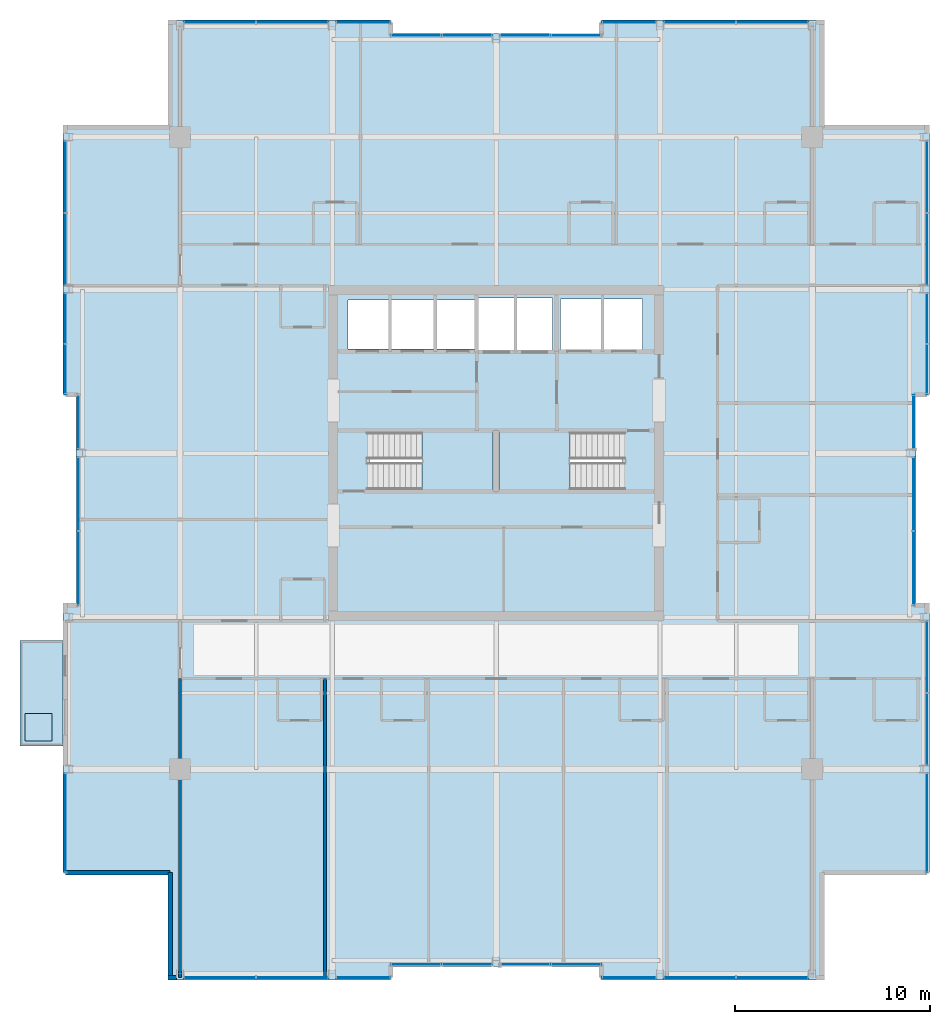
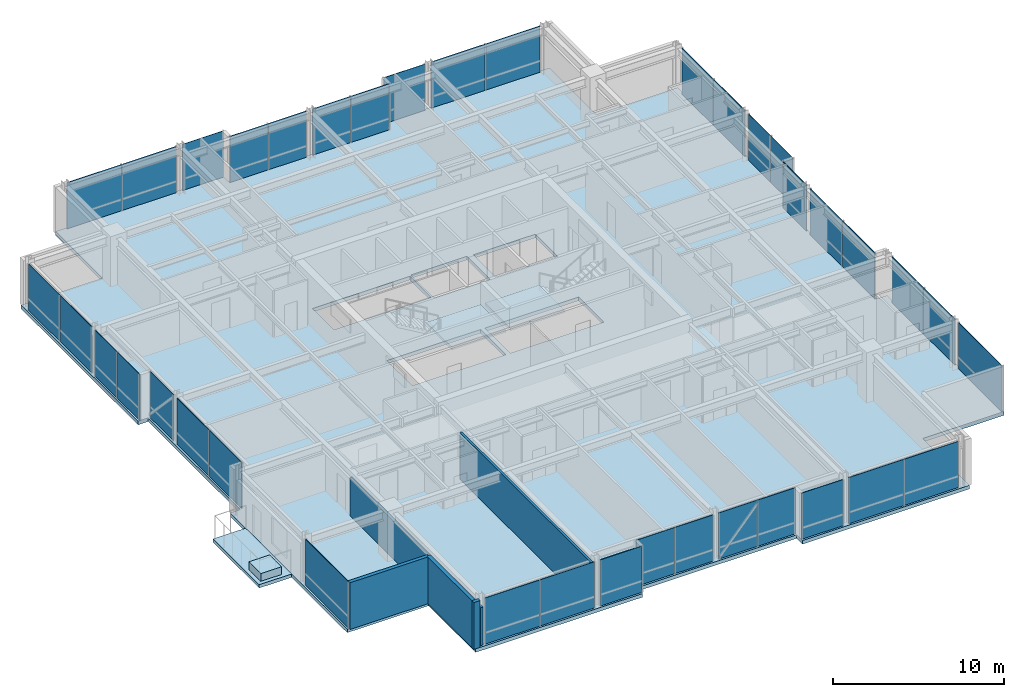
# One storey, part 25 of 32: 38 plates, 5 slabs, 5 walls, 25 elements without a shape of their own.
"""IFC4 building model written with IfcOpenShell, lengths in metres."""

from ifc_helpers import new_model, si_unit, direction, frame, frame_2d, origin, origin_2d, place, context, subcontext, project, spatial, polyline, rectangle, outline, extrude, material, layer, layer_set, type_object, element, aggregate, save


model = new_model("IFC4")

# Units and contexts
model_context = context("Model", 3, precision=1e-05, world=origin(), true_north=direction((0.0, 1.0)))
body_context = subcontext(model_context, "Body", "Model", "MODEL_VIEW")
ifc_project = project(units=[si_unit("LENGTHUNIT", "METRE"), si_unit("AREAUNIT", "SQUARE_METRE"), si_unit("VOLUMEUNIT", "CUBIC_METRE"), si_unit("PLANEANGLEUNIT", "RADIAN"), si_unit("MASSUNIT", "GRAM", prefix="KILO")], contexts=[model_context])

# Site, building, storey
site_placement = place(None, origin())
site = spatial("IfcSite", under=ifc_project, at=site_placement, CompositionType="ELEMENT")
building_placement = place(site_placement, origin())
building = spatial("IfcBuilding", under=site, at=building_placement, Name="Drelvath Grand Hotel", CompositionType="ELEMENT")
storey_placement = place(building_placement, frame((0.0, 0.0, 226.699951171875)))
storey = spatial("IfcBuildingStorey", under=building, at=storey_placement, Name="L59", CompositionType="ELEMENT", Elevation=226.699951171875)

# Slabs
ifc_material_1 = material(Name="Concrete f'c 40 MPa", Category="concrete")
ifc_layer_1 = layer(ifc_material_1, 0.239990234375)
ifc_layer_set_1 = layer_set([ifc_layer_1], Name="Concrete f'c 40 MPa")
slab_type_1 = type_object("IfcSlabType", Name="Cantilevered Tree Balcony Slab 240", PredefinedType="FLOOR", material=ifc_layer_set_1)
slab_1_placement = place(storey_placement, frame((0.0, 0.0, -0.239990234375)))
element("IfcSlab", 1, at=slab_1_placement, inside=storey, type_object=slab_type_1, Name="L59 Cantilevered Tree Balcony Slab 1", PredefinedType="FLOOR", context=body_context, shape_type="SweptSolid", body=[
    extrude(outline(polyline([(-24.39990234375, 12.0), (-22.199951171875, 12.0), (-22.199951171875, 17.39990234375), (-24.39990234375, 17.39990234375), (-24.39990234375, 12.0)])), origin(), (0.0, 0.0, 1.0), 0.239990234375),
])
ifc_layer_2 = layer(ifc_material_1, 0.260009765625)
ifc_layer_set_2 = layer_set([ifc_layer_2], Name="Concrete f'c 40 MPa")
slab_type_2 = type_object("IfcSlabType", Name="Composite RC Floor Slab 260", PredefinedType="FLOOR", material=ifc_layer_set_2)
slab_2_placement = place(storey_placement, frame((0.0, 0.0, -0.260009765625)))
element("IfcSlab", 2, at=slab_2_placement, inside=storey, type_object=slab_type_2, Name="L59 Structural Floor Slab", PredefinedType="FLOOR", context=body_context, shape_type="SweptSolid", body=[
    extrude(outline(polyline([(-16.699951171875, 0.0), (-5.39990234375, 0.0), (-5.39990234375, 0.679931640625), (5.39990234375, 0.679931640625), (5.39990234375, 0.0), (16.699951171875, 0.0), (16.699951171875, 5.5), (22.199951171875, 5.5), (22.199951171875, 19.199951171875), (21.52001953125, 19.199951171875), (21.52001953125, 30.0), (22.199951171875, 30.0), (22.199951171875, 43.699951171875), (16.699951171875, 43.699951171875), (16.699951171875, 49.199951171875), (5.39990234375, 49.199951171875), (5.39990234375, 48.52001953125), (-5.39990234375, 48.52001953125), (-5.39990234375, 49.199951171875), (-16.699951171875, 49.199951171875), (-16.699951171875, 43.699951171875), (-22.199951171875, 43.699951171875), (-22.199951171875, 30.0), (-21.52001953125, 30.0), (-21.52001953125, 19.199951171875), (-22.199951171875, 19.199951171875), (-22.199951171875, 5.5), (-16.699951171875, 5.5), (-16.699951171875, 0.0)]), holes=[polyline([(-6.47998046875, 25.1201171875), (-6.47998046875, 28.080078125), (-0.14990234375, 28.080078125), (-0.14990234375, 25.1201171875), (-6.47998046875, 25.1201171875)]), polyline([(0.14990234375, 25.1201171875), (0.14990234375, 28.080078125), (6.47998046875, 28.080078125), (6.47998046875, 25.1201171875), (0.14990234375, 25.1201171875)]), polyline([(-7.60009765625, 32.35009765625), (-7.60009765625, 34.85009765625), (-1.02001953125, 34.85009765625), (-1.02001953125, 32.35009765625), (-7.60009765625, 32.35009765625)]), polyline([(-0.89990234375, 32.25), (-0.89990234375, 34.949951171875), (2.89990234375, 34.949951171875), (2.89990234375, 32.25), (-0.89990234375, 32.25)]), polyline([(3.300048828125, 32.300048828125), (3.300048828125, 34.89990234375), (7.5, 34.89990234375), (7.5, 32.300048828125), (3.300048828125, 32.300048828125)])]), origin(), (0.0, 0.0, 1.0), 0.260009765625),
])

# Stair, slab
ifc_material_2 = material(Name="Concrete C40/50", Category="concrete")
stair_type = type_object("IfcStairType", Name="Dogleg Exit Stair W1400-R163.6", PredefinedType="HALF_TURN_STAIR", material=ifc_material_2)
stair_1_placement = place(storey_placement, origin())
stair_1 = element("IfcStair", 3, at=stair_1_placement, inside=storey, type_object=stair_type, Name="L59 Core Exit Stair ST-1", PredefinedType="HALF_TURN_STAIR")
ifc_layer_3 = layer(ifc_material_2, 0.199951171875)
ifc_layer_set_3 = layer_set([ifc_layer_3], Name="Concrete C40/50")
slab_type_3 = type_object("IfcSlabType", Name="Concrete Stair Landing Slab 200", PredefinedType="LANDING", material=ifc_layer_set_3)
slab_3_placement = place(storey_placement, frame((0.0, 0.0, 1.60009765625)))
slab_3 = element("IfcSlab", 4, at=slab_3_placement, type_object=slab_type_3, Name="ST-1 landing 1", PredefinedType="LANDING", context=body_context, shape_type="SweptSolid", body=[
    extrude(outline(polyline([(-3.800048828125, 25.1201171875), (-0.14990234375, 25.1201171875), (-0.14990234375, 28.080078125), (-3.800048828125, 28.080078125), (-3.800048828125, 25.1201171875)])), origin(), (0.0, 0.0, 1.0), 0.199951171875),
])
aggregate(stair_1, [slab_3])

stair_2_placement = place(storey_placement, origin())
stair_2 = element("IfcStair", 5, at=stair_2_placement, inside=storey, type_object=stair_type, Name="L59 Core Exit Stair ST-2", PredefinedType="HALF_TURN_STAIR")
slab_4_placement = place(storey_placement, frame((0.0, 0.0, 1.60009765625)))
slab_4 = element("IfcSlab", 6, at=slab_4_placement, type_object=slab_type_3, Name="ST-2 landing 1", PredefinedType="LANDING", context=body_context, shape_type="SweptSolid", body=[
    extrude(outline(polyline([(3.800048828125, 28.080078125), (0.14990234375, 28.080078125), (0.14990234375, 25.1201171875), (3.800048828125, 25.1201171875), (3.800048828125, 28.080078125)])), origin(), (0.0, 0.0, 1.0), 0.199951171875),
])
aggregate(stair_2, [slab_4])

# Curtain wall, plate
ifc_material_3 = material(Name="Platinum-Mist Anodised Aluminium Frame", Category="aluminium")
ifc_layer_4 = layer(ifc_material_3, 0.199951171875)
ifc_layer_set_4 = layer_set([ifc_layer_4], Name="Platinum-Mist Anodised Aluminium Frame")
curtain_wall_type = type_object("IfcCurtainWallType", Name="Stick Curtain Wall CW-05 Platinum Mist High-Rise", PredefinedType="NOTDEFINED", material=ifc_layer_set_4)
curtain_wall_1_placement = place(storey_placement, origin())
curtain_wall_1 = element("IfcCurtainWall", 7, at=curtain_wall_1_placement, inside=storey, type_object=curtain_wall_type, Name="L59 CW-05 Curtain Wall CW05-L59-WS1", PredefinedType="NOTDEFINED")
ifc_material_4 = material(Name="Low-E Triple Silver High-Altitude Glass", Category="glass")
ifc_layer_5 = layer(ifc_material_4, 0.035888671875)
ifc_layer_set_5 = layer_set([ifc_layer_5], Name="Low-E Triple Silver High-Altitude Glass")
plate_type = type_object("IfcPlateType", Name="Curtain Wall Vision Panel CW-05 36mm", PredefinedType="CURTAIN_PANEL", material=ifc_layer_set_5)
plate_1_placement = place(storey_placement, frame((-22.080078125, 8.057373046875, 0.02001953125), z_axis=(0.0, 0.0, 1.0), x_axis=(0.0, 1.0, 0.0)))
plate_1 = element("IfcPlate", 8, at=plate_1_placement, type_object=plate_type, Name="CW05-L59-WS1 Glazed Panel 1", PredefinedType="CURTAIN_PANEL", context=body_context, shape_type="SweptSolid", body=[
    extrude(rectangle(XDim=5.07470703125, YDim=0.035888671875, at=origin_2d()), origin(), (0.0, 0.0, 1.0), 3.300048828125),
])
aggregate(curtain_wall_1, [plate_1])

# Curtain wall, plates
curtain_wall_2_placement = place(storey_placement, origin())
curtain_wall_2 = element("IfcCurtainWall", 9, at=curtain_wall_2_placement, inside=storey, type_object=curtain_wall_type, Name="L59 CW-05 Curtain Wall CW05-L59-WM1", PredefinedType="NOTDEFINED")
plate_2_placement = place(storey_placement, frame((-21.39990234375, 21.103759765625, 0.02001953125), z_axis=(0.0, 0.0, 1.0), x_axis=(0.0, 1.0, 0.0)))
plate_2 = element("IfcPlate", 10, at=plate_2_placement, type_object=plate_type, Name="CW05-L59-WM1 Glazed Panel 1", PredefinedType="CURTAIN_PANEL", context=body_context, shape_type="SweptSolid", body=[
    extrude(rectangle(XDim=3.767333984375, YDim=0.035888671875, at=origin_2d()), origin(), (0.0, 0.0, 1.0), 3.300048828125),
])
plate_3_placement = place(storey_placement, frame((-21.39990234375, 24.910888671875, 0.02001953125), z_axis=(0.0, 0.0, 1.0), x_axis=(0.0, 1.0, 0.0)))
plate_3 = element("IfcPlate", 11, at=plate_3_placement, type_object=plate_type, Name="CW05-L59-WM1 Glazed Panel 2", PredefinedType="CURTAIN_PANEL", context=body_context, shape_type="SweptSolid", body=[
    extrude(rectangle(XDim=3.767333984375, YDim=0.035888671875, at=origin_2d()), origin(), (0.0, 0.0, 1.0), 3.300048828125),
])
aggregate(curtain_wall_2, [plate_2, plate_3])

# Curtain wall, plate
curtain_wall_3_placement = place(storey_placement, origin())
curtain_wall_3 = element("IfcCurtainWall", 12, at=curtain_wall_3_placement, inside=storey, type_object=curtain_wall_type, Name="L59 CW-05 Curtain Wall CW05-L59-WM2", PredefinedType="NOTDEFINED")
plate_4_placement = place(storey_placement, frame((-21.39990234375, 28.592529296875, 0.02001953125), z_axis=(0.0, 0.0, 1.0), x_axis=(0.0, 1.0, 0.0)))
plate_4 = element("IfcPlate", 13, at=plate_4_placement, type_object=plate_type, Name="CW05-L59-WM2 Glazed Panel 1", PredefinedType="CURTAIN_PANEL", context=body_context, shape_type="SweptSolid", body=[
    extrude(rectangle(XDim=2.774658203125, YDim=0.035888671875, at=origin_2d()), origin(), (0.0, 0.0, 1.0), 3.300048828125),
])
aggregate(curtain_wall_3, [plate_4])

# Curtain wall, plates
curtain_wall_4_placement = place(storey_placement, origin())
curtain_wall_4 = element("IfcCurtainWall", 14, at=curtain_wall_4_placement, inside=storey, type_object=curtain_wall_type, Name="L59 CW-05 Curtain Wall CW05-L59-WN1", PredefinedType="NOTDEFINED")
plate_5_placement = place(storey_placement, frame((-22.080078125, 31.3037109375, 0.02001953125), z_axis=(0.0, 0.0, 1.0), x_axis=(0.0, 1.0, 0.0)))
plate_5 = element("IfcPlate", 15, at=plate_5_placement, type_object=plate_type, Name="CW05-L59-WN1 Glazed Panel 1", PredefinedType="CURTAIN_PANEL", context=body_context, shape_type="SweptSolid", body=[
    extrude(rectangle(XDim=2.5673828125, YDim=0.035888671875, at=origin_2d()), origin(), (0.0, 0.0, 1.0), 3.300048828125),
])
plate_6_placement = place(storey_placement, frame((-22.080078125, 33.9111328125, 0.02001953125), z_axis=(0.0, 0.0, 1.0), x_axis=(0.0, 1.0, 0.0)))
plate_6 = element("IfcPlate", 16, at=plate_6_placement, type_object=plate_type, Name="CW05-L59-WN1 Glazed Panel 2", PredefinedType="CURTAIN_PANEL", context=body_context, shape_type="SweptSolid", body=[
    extrude(rectangle(XDim=2.5673828125, YDim=0.035888671875, at=origin_2d()), origin(), (0.0, 0.0, 1.0), 3.300048828125),
])
aggregate(curtain_wall_4, [plate_5, plate_6])

curtain_wall_5_placement = place(storey_placement, origin())
curtain_wall_5 = element("IfcCurtainWall", 17, at=curtain_wall_5_placement, inside=storey, type_object=curtain_wall_type, Name="L59 CW-05 Curtain Wall CW05-L59-WN2", PredefinedType="NOTDEFINED")
plate_7_placement = place(storey_placement, frame((-22.080078125, 37.442626953125, 0.02001953125), z_axis=(0.0, 0.0, 1.0), x_axis=(0.0, 1.0, 0.0)))
plate_7 = element("IfcPlate", 18, at=plate_7_placement, type_object=plate_type, Name="CW05-L59-WN2 Glazed Panel 1", PredefinedType="CURTAIN_PANEL", context=body_context, shape_type="SweptSolid", body=[
    extrude(rectangle(XDim=3.6748046875, YDim=0.035888671875, at=origin_2d()), origin(), (0.0, 0.0, 1.0), 3.300048828125),
])
plate_8_placement = place(storey_placement, frame((-22.080078125, 41.157470703125, 0.02001953125), z_axis=(0.0, 0.0, 1.0), x_axis=(0.0, 1.0, 0.0)))
plate_8 = element("IfcPlate", 19, at=plate_8_placement, type_object=plate_type, Name="CW05-L59-WN2 Glazed Panel 2", PredefinedType="CURTAIN_PANEL", context=body_context, shape_type="SweptSolid", body=[
    extrude(rectangle(XDim=3.6748046875, YDim=0.035888671875, at=origin_2d()), origin(), (0.0, 0.0, 1.0), 3.300048828125),
])
aggregate(curtain_wall_5, [plate_7, plate_8])

curtain_wall_6_placement = place(storey_placement, origin())
curtain_wall_6 = element("IfcCurtainWall", 20, at=curtain_wall_6_placement, inside=storey, type_object=curtain_wall_type, Name="L59 CW-05 Curtain Wall CW05-L59-EN1", PredefinedType="NOTDEFINED")
plate_9_placement = place(storey_placement, frame((22.080078125, 33.9111328125, 0.02001953125), z_axis=(0.0, 0.0, 1.0), x_axis=(0.0, -1.0, 0.0)))
plate_9 = element("IfcPlate", 21, at=plate_9_placement, type_object=plate_type, Name="CW05-L59-EN1 Glazed Panel 1", PredefinedType="CURTAIN_PANEL", context=body_context, shape_type="SweptSolid", body=[
    extrude(rectangle(XDim=2.5673828125, YDim=0.035888671875, at=origin_2d()), origin(), (0.0, 0.0, 1.0), 3.300048828125),
])
plate_10_placement = place(storey_placement, frame((22.080078125, 31.3037109375, 0.02001953125), z_axis=(0.0, 0.0, 1.0), x_axis=(0.0, -1.0, 0.0)))
plate_10 = element("IfcPlate", 22, at=plate_10_placement, type_object=plate_type, Name="CW05-L59-EN1 Glazed Panel 2", PredefinedType="CURTAIN_PANEL", context=body_context, shape_type="SweptSolid", body=[
    extrude(rectangle(XDim=2.5673828125, YDim=0.035888671875, at=origin_2d()), origin(), (0.0, 0.0, 1.0), 3.300048828125),
])
aggregate(curtain_wall_6, [plate_9, plate_10])

curtain_wall_7_placement = place(storey_placement, origin())
curtain_wall_7 = element("IfcCurtainWall", 23, at=curtain_wall_7_placement, inside=storey, type_object=curtain_wall_type, Name="L59 CW-05 Curtain Wall CW05-L59-EN2", PredefinedType="NOTDEFINED")
plate_11_placement = place(storey_placement, frame((22.080078125, 41.157470703125, 0.02001953125), z_axis=(0.0, 0.0, 1.0), x_axis=(0.0, -1.0, 0.0)))
plate_11 = element("IfcPlate", 24, at=plate_11_placement, type_object=plate_type, Name="CW05-L59-EN2 Glazed Panel 1", PredefinedType="CURTAIN_PANEL", context=body_context, shape_type="SweptSolid", body=[
    extrude(rectangle(XDim=3.6748046875, YDim=0.035888671875, at=origin_2d()), origin(), (0.0, 0.0, 1.0), 3.300048828125),
])
plate_12_placement = place(storey_placement, frame((22.080078125, 37.442626953125, 0.02001953125), z_axis=(0.0, 0.0, 1.0), x_axis=(0.0, -1.0, 0.0)))
plate_12 = element("IfcPlate", 25, at=plate_12_placement, type_object=plate_type, Name="CW05-L59-EN2 Glazed Panel 2", PredefinedType="CURTAIN_PANEL", context=body_context, shape_type="SweptSolid", body=[
    extrude(rectangle(XDim=3.6748046875, YDim=0.035888671875, at=origin_2d()), origin(), (0.0, 0.0, 1.0), 3.300048828125),
])
aggregate(curtain_wall_7, [plate_11, plate_12])

curtain_wall_8_placement = place(storey_placement, origin())
curtain_wall_8 = element("IfcCurtainWall", 26, at=curtain_wall_8_placement, inside=storey, type_object=curtain_wall_type, Name="L59 CW-05 Curtain Wall CW05-L59-EM1", PredefinedType="NOTDEFINED")
plate_13_placement = place(storey_placement, frame((21.39990234375, 24.910888671875, 0.02001953125), z_axis=(0.0, 0.0, 1.0), x_axis=(0.0, -1.0, 0.0)))
plate_13 = element("IfcPlate", 27, at=plate_13_placement, type_object=plate_type, Name="CW05-L59-EM1 Glazed Panel 1", PredefinedType="CURTAIN_PANEL", context=body_context, shape_type="SweptSolid", body=[
    extrude(rectangle(XDim=3.767333984375, YDim=0.035888671875, at=origin_2d()), origin(), (0.0, 0.0, 1.0), 3.300048828125),
])
plate_14_placement = place(storey_placement, frame((21.39990234375, 21.103759765625, 0.02001953125), z_axis=(0.0, 0.0, 1.0), x_axis=(0.0, -1.0, 0.0)))
plate_14 = element("IfcPlate", 28, at=plate_14_placement, type_object=plate_type, Name="CW05-L59-EM1 Glazed Panel 2", PredefinedType="CURTAIN_PANEL", context=body_context, shape_type="SweptSolid", body=[
    extrude(rectangle(XDim=3.767333984375, YDim=0.035888671875, at=origin_2d()), origin(), (0.0, 0.0, 1.0), 3.300048828125),
])
aggregate(curtain_wall_8, [plate_13, plate_14])

# Curtain wall, plate
curtain_wall_9_placement = place(storey_placement, origin())
curtain_wall_9 = element("IfcCurtainWall", 29, at=curtain_wall_9_placement, inside=storey, type_object=curtain_wall_type, Name="L59 CW-05 Curtain Wall CW05-L59-EM2", PredefinedType="NOTDEFINED")
plate_15_placement = place(storey_placement, frame((21.39990234375, 28.592529296875, 0.02001953125), z_axis=(0.0, 0.0, 1.0), x_axis=(0.0, -1.0, 0.0)))
plate_15 = element("IfcPlate", 30, at=plate_15_placement, type_object=plate_type, Name="CW05-L59-EM2 Glazed Panel 1", PredefinedType="CURTAIN_PANEL", context=body_context, shape_type="SweptSolid", body=[
    extrude(rectangle(XDim=2.774658203125, YDim=0.035888671875, at=origin_2d()), origin(), (0.0, 0.0, 1.0), 3.300048828125),
])
aggregate(curtain_wall_9, [plate_15])

curtain_wall_10_placement = place(storey_placement, origin())
curtain_wall_10 = element("IfcCurtainWall", 31, at=curtain_wall_10_placement, inside=storey, type_object=curtain_wall_type, Name="L59 CW-05 Curtain Wall CW05-L59-ES1", PredefinedType="NOTDEFINED")
plate_16_placement = place(storey_placement, frame((22.080078125, 8.057373046875, 0.02001953125), z_axis=(0.0, 0.0, 1.0), x_axis=(0.0, -1.0, 0.0)))
plate_16 = element("IfcPlate", 32, at=plate_16_placement, type_object=plate_type, Name="CW05-L59-ES1 Glazed Panel 1", PredefinedType="CURTAIN_PANEL", context=body_context, shape_type="SweptSolid", body=[
    extrude(rectangle(XDim=5.07470703125, YDim=0.035888671875, at=origin_2d()), origin(), (0.0, 0.0, 1.0), 3.300048828125),
])
aggregate(curtain_wall_10, [plate_16])

# Curtain wall, plates
curtain_wall_11_placement = place(storey_placement, origin())
curtain_wall_11 = element("IfcCurtainWall", 33, at=curtain_wall_11_placement, inside=storey, type_object=curtain_wall_type, Name="L59 CW-05 Curtain Wall CW05-L59-ES2", PredefinedType="NOTDEFINED")
plate_17_placement = place(storey_placement, frame((22.080078125, 16.557373046875, 0.02001953125), z_axis=(0.0, 0.0, 1.0), x_axis=(0.0, -1.0, 0.0)))
plate_17 = element("IfcPlate", 34, at=plate_17_placement, type_object=plate_type, Name="CW05-L59-ES2 Glazed Panel 1", PredefinedType="CURTAIN_PANEL", context=body_context, shape_type="SweptSolid", body=[
    extrude(rectangle(XDim=3.6748046875, YDim=0.035888671875, at=origin_2d()), origin(), (0.0, 0.0, 1.0), 3.300048828125),
])
plate_18_placement = place(storey_placement, frame((22.080078125, 12.842529296875, 0.02001953125), z_axis=(0.0, 0.0, 1.0), x_axis=(0.0, -1.0, 0.0)))
plate_18 = element("IfcPlate", 35, at=plate_18_placement, type_object=plate_type, Name="CW05-L59-ES2 Glazed Panel 2", PredefinedType="CURTAIN_PANEL", context=body_context, shape_type="SweptSolid", body=[
    extrude(rectangle(XDim=3.6748046875, YDim=0.035888671875, at=origin_2d()), origin(), (0.0, 0.0, 1.0), 3.300048828125),
])
aggregate(curtain_wall_11, [plate_17, plate_18])

curtain_wall_12_placement = place(storey_placement, origin())
curtain_wall_12 = element("IfcCurtainWall", 36, at=curtain_wall_12_placement, inside=storey, type_object=curtain_wall_type, Name="L59 CW-05 Curtain Wall CW05-L59-NW2", PredefinedType="NOTDEFINED")
plate_19_placement = place(storey_placement, frame((-14.157470703125, 49.080078125, 0.02001953125), z_axis=(0.0, 0.0, 1.0), x_axis=(1.0, 0.0, 0.0)))
plate_19 = element("IfcPlate", 37, at=plate_19_placement, type_object=plate_type, Name="CW05-L59-NW2 Glazed Panel 1", PredefinedType="CURTAIN_PANEL", context=body_context, shape_type="SweptSolid", body=[
    extrude(rectangle(XDim=3.6748046875, YDim=0.035888671875, at=origin_2d()), origin(), (0.0, 0.0, 1.0), 3.300048828125),
])
plate_20_placement = place(storey_placement, frame((-10.442626953125, 49.080078125, 0.02001953125), z_axis=(0.0, 0.0, 1.0), x_axis=(1.0, 0.0, 0.0)))
plate_20 = element("IfcPlate", 38, at=plate_20_placement, type_object=plate_type, Name="CW05-L59-NW2 Glazed Panel 2", PredefinedType="CURTAIN_PANEL", context=body_context, shape_type="SweptSolid", body=[
    extrude(rectangle(XDim=3.6748046875, YDim=0.035888671875, at=origin_2d()), origin(), (0.0, 0.0, 1.0), 3.300048828125),
])
aggregate(curtain_wall_12, [plate_19, plate_20])

# Curtain wall, plate
curtain_wall_13_placement = place(storey_placement, origin())
curtain_wall_13 = element("IfcCurtainWall", 39, at=curtain_wall_13_placement, inside=storey, type_object=curtain_wall_type, Name="L59 CW-05 Curtain Wall CW05-L59-NW3", PredefinedType="NOTDEFINED")
plate_21_placement = place(storey_placement, frame((-6.807373046875, 49.080078125, 0.02001953125), z_axis=(0.0, 0.0, 1.0), x_axis=(1.0, 0.0, 0.0)))
plate_21 = element("IfcPlate", 40, at=plate_21_placement, type_object=plate_type, Name="CW05-L59-NW3 Glazed Panel 1", PredefinedType="CURTAIN_PANEL", context=body_context, shape_type="SweptSolid", body=[
    extrude(rectangle(XDim=2.774658203125, YDim=0.035888671875, at=origin_2d()), origin(), (0.0, 0.0, 1.0), 3.300048828125),
])
aggregate(curtain_wall_13, [plate_21])

# Curtain wall, plates
curtain_wall_14_placement = place(storey_placement, origin())
curtain_wall_14 = element("IfcCurtainWall", 41, at=curtain_wall_14_placement, inside=storey, type_object=curtain_wall_type, Name="L59 CW-05 Curtain Wall CW05-L59-NM1", PredefinedType="NOTDEFINED")
plate_22_placement = place(storey_placement, frame((-4.096435546875, 48.39990234375, 0.02001953125), z_axis=(0.0, 0.0, 1.0), x_axis=(1.0, 0.0, 0.0)))
plate_22 = element("IfcPlate", 42, at=plate_22_placement, type_object=plate_type, Name="CW05-L59-NM1 Glazed Panel 1", PredefinedType="CURTAIN_PANEL", context=body_context, shape_type="SweptSolid", body=[
    extrude(rectangle(XDim=2.5673828125, YDim=0.035888671875, at=origin_2d()), origin(), (0.0, 0.0, 1.0), 3.300048828125),
])
plate_23_placement = place(storey_placement, frame((-1.489013671875, 48.39990234375, 0.02001953125), z_axis=(0.0, 0.0, 1.0), x_axis=(1.0, 0.0, 0.0)))
plate_23 = element("IfcPlate", 43, at=plate_23_placement, type_object=plate_type, Name="CW05-L59-NM1 Glazed Panel 2", PredefinedType="CURTAIN_PANEL", context=body_context, shape_type="SweptSolid", body=[
    extrude(rectangle(XDim=2.5673828125, YDim=0.035888671875, at=origin_2d()), origin(), (0.0, 0.0, 1.0), 3.300048828125),
])
aggregate(curtain_wall_14, [plate_22, plate_23])

curtain_wall_15_placement = place(storey_placement, origin())
curtain_wall_15 = element("IfcCurtainWall", 44, at=curtain_wall_15_placement, inside=storey, type_object=curtain_wall_type, Name="L59 CW-05 Curtain Wall CW05-L59-NM2", PredefinedType="NOTDEFINED")
plate_24_placement = place(storey_placement, frame((1.489013671875, 48.39990234375, 0.02001953125), z_axis=(0.0, 0.0, 1.0), x_axis=(1.0, 0.0, 0.0)))
plate_24 = element("IfcPlate", 45, at=plate_24_placement, type_object=plate_type, Name="CW05-L59-NM2 Glazed Panel 1", PredefinedType="CURTAIN_PANEL", context=body_context, shape_type="SweptSolid", body=[
    extrude(rectangle(XDim=2.5673828125, YDim=0.035888671875, at=origin_2d()), origin(), (0.0, 0.0, 1.0), 3.300048828125),
])
plate_25_placement = place(storey_placement, frame((4.096435546875, 48.39990234375, 0.02001953125), z_axis=(0.0, 0.0, 1.0), x_axis=(1.0, 0.0, 0.0)))
plate_25 = element("IfcPlate", 46, at=plate_25_placement, type_object=plate_type, Name="CW05-L59-NM2 Glazed Panel 2", PredefinedType="CURTAIN_PANEL", context=body_context, shape_type="SweptSolid", body=[
    extrude(rectangle(XDim=2.5673828125, YDim=0.035888671875, at=origin_2d()), origin(), (0.0, 0.0, 1.0), 3.300048828125),
])
aggregate(curtain_wall_15, [plate_24, plate_25])

# Curtain wall, plate
curtain_wall_16_placement = place(storey_placement, origin())
curtain_wall_16 = element("IfcCurtainWall", 47, at=curtain_wall_16_placement, inside=storey, type_object=curtain_wall_type, Name="L59 CW-05 Curtain Wall CW05-L59-NE1", PredefinedType="NOTDEFINED")
plate_26_placement = place(storey_placement, frame((6.807373046875, 49.080078125, 0.02001953125), z_axis=(0.0, 0.0, 1.0), x_axis=(1.0, 0.0, 0.0)))
plate_26 = element("IfcPlate", 48, at=plate_26_placement, type_object=plate_type, Name="CW05-L59-NE1 Glazed Panel 1", PredefinedType="CURTAIN_PANEL", context=body_context, shape_type="SweptSolid", body=[
    extrude(rectangle(XDim=2.774658203125, YDim=0.035888671875, at=origin_2d()), origin(), (0.0, 0.0, 1.0), 3.300048828125),
])
aggregate(curtain_wall_16, [plate_26])

# Curtain wall, plates
curtain_wall_17_placement = place(storey_placement, origin())
curtain_wall_17 = element("IfcCurtainWall", 49, at=curtain_wall_17_placement, inside=storey, type_object=curtain_wall_type, Name="L59 CW-05 Curtain Wall CW05-L59-NE2", PredefinedType="NOTDEFINED")
plate_27_placement = place(storey_placement, frame((10.442626953125, 49.080078125, 0.02001953125), z_axis=(0.0, 0.0, 1.0), x_axis=(1.0, 0.0, 0.0)))
plate_27 = element("IfcPlate", 50, at=plate_27_placement, type_object=plate_type, Name="CW05-L59-NE2 Glazed Panel 1", PredefinedType="CURTAIN_PANEL", context=body_context, shape_type="SweptSolid", body=[
    extrude(rectangle(XDim=3.6748046875, YDim=0.035888671875, at=origin_2d()), origin(), (0.0, 0.0, 1.0), 3.300048828125),
])
plate_28_placement = place(storey_placement, frame((14.157470703125, 49.080078125, 0.02001953125), z_axis=(0.0, 0.0, 1.0), x_axis=(1.0, 0.0, 0.0)))
plate_28 = element("IfcPlate", 51, at=plate_28_placement, type_object=plate_type, Name="CW05-L59-NE2 Glazed Panel 2", PredefinedType="CURTAIN_PANEL", context=body_context, shape_type="SweptSolid", body=[
    extrude(rectangle(XDim=3.6748046875, YDim=0.035888671875, at=origin_2d()), origin(), (0.0, 0.0, 1.0), 3.300048828125),
])
aggregate(curtain_wall_17, [plate_27, plate_28])

# Curtain wall, plate
curtain_wall_18_placement = place(storey_placement, origin())
curtain_wall_18 = element("IfcCurtainWall", 52, at=curtain_wall_18_placement, inside=storey, type_object=curtain_wall_type, Name="L59 CW-05 Curtain Wall CW05-L59-SE1", PredefinedType="NOTDEFINED")
plate_29_placement = place(storey_placement, frame((6.807373046875, 0.1201171875, 0.02001953125), z_axis=(0.0, 0.0, 1.0), x_axis=(-1.0, 0.0, 0.0)))
plate_29 = element("IfcPlate", 53, at=plate_29_placement, type_object=plate_type, Name="CW05-L59-SE1 Glazed Panel 1", PredefinedType="CURTAIN_PANEL", context=body_context, shape_type="SweptSolid", body=[
    extrude(rectangle(XDim=2.774658203125, YDim=0.035888671875, at=origin_2d()), origin(), (0.0, 0.0, 1.0), 3.300048828125),
])
aggregate(curtain_wall_18, [plate_29])

# Curtain wall, plates
curtain_wall_19_placement = place(storey_placement, origin())
curtain_wall_19 = element("IfcCurtainWall", 54, at=curtain_wall_19_placement, inside=storey, type_object=curtain_wall_type, Name="L59 CW-05 Curtain Wall CW05-L59-SE2", PredefinedType="NOTDEFINED")
plate_30_placement = place(storey_placement, frame((14.157470703125, 0.1201171875, 0.02001953125), z_axis=(0.0, 0.0, 1.0), x_axis=(-1.0, 0.0, 0.0)))
plate_30 = element("IfcPlate", 55, at=plate_30_placement, type_object=plate_type, Name="CW05-L59-SE2 Glazed Panel 1", PredefinedType="CURTAIN_PANEL", context=body_context, shape_type="SweptSolid", body=[
    extrude(rectangle(XDim=3.6748046875, YDim=0.035888671875, at=origin_2d()), origin(), (0.0, 0.0, 1.0), 3.300048828125),
])
plate_31_placement = place(storey_placement, frame((10.442626953125, 0.1201171875, 0.02001953125), z_axis=(0.0, 0.0, 1.0), x_axis=(-1.0, 0.0, 0.0)))
plate_31 = element("IfcPlate", 56, at=plate_31_placement, type_object=plate_type, Name="CW05-L59-SE2 Glazed Panel 2", PredefinedType="CURTAIN_PANEL", context=body_context, shape_type="SweptSolid", body=[
    extrude(rectangle(XDim=3.6748046875, YDim=0.035888671875, at=origin_2d()), origin(), (0.0, 0.0, 1.0), 3.300048828125),
])
aggregate(curtain_wall_19, [plate_30, plate_31])

curtain_wall_20_placement = place(storey_placement, origin())
curtain_wall_20 = element("IfcCurtainWall", 57, at=curtain_wall_20_placement, inside=storey, type_object=curtain_wall_type, Name="L59 CW-05 Curtain Wall CW05-L59-SM1", PredefinedType="NOTDEFINED")
plate_32_placement = place(storey_placement, frame((-1.489013671875, 0.800048828125, 0.02001953125), z_axis=(0.0, 0.0, 1.0), x_axis=(-1.0, 0.0, 0.0)))
plate_32 = element("IfcPlate", 58, at=plate_32_placement, type_object=plate_type, Name="CW05-L59-SM1 Glazed Panel 1", PredefinedType="CURTAIN_PANEL", context=body_context, shape_type="SweptSolid", body=[
    extrude(rectangle(XDim=2.5673828125, YDim=0.035888671875, at=origin_2d()), origin(), (0.0, 0.0, 1.0), 3.300048828125),
])
plate_33_placement = place(storey_placement, frame((-4.096435546875, 0.800048828125, 0.02001953125), z_axis=(0.0, 0.0, 1.0), x_axis=(-1.0, 0.0, 0.0)))
plate_33 = element("IfcPlate", 59, at=plate_33_placement, type_object=plate_type, Name="CW05-L59-SM1 Glazed Panel 2", PredefinedType="CURTAIN_PANEL", context=body_context, shape_type="SweptSolid", body=[
    extrude(rectangle(XDim=2.5673828125, YDim=0.035888671875, at=origin_2d()), origin(), (0.0, 0.0, 1.0), 3.300048828125),
])
aggregate(curtain_wall_20, [plate_32, plate_33])

curtain_wall_21_placement = place(storey_placement, origin())
curtain_wall_21 = element("IfcCurtainWall", 60, at=curtain_wall_21_placement, inside=storey, type_object=curtain_wall_type, Name="L59 CW-05 Curtain Wall CW05-L59-SM2", PredefinedType="NOTDEFINED")
plate_34_placement = place(storey_placement, frame((4.096435546875, 0.800048828125, 0.02001953125), z_axis=(0.0, 0.0, 1.0), x_axis=(-1.0, 0.0, 0.0)))
plate_34 = element("IfcPlate", 61, at=plate_34_placement, type_object=plate_type, Name="CW05-L59-SM2 Glazed Panel 1", PredefinedType="CURTAIN_PANEL", context=body_context, shape_type="SweptSolid", body=[
    extrude(rectangle(XDim=2.5673828125, YDim=0.035888671875, at=origin_2d()), origin(), (0.0, 0.0, 1.0), 3.300048828125),
])
plate_35_placement = place(storey_placement, frame((1.489013671875, 0.800048828125, 0.02001953125), z_axis=(0.0, 0.0, 1.0), x_axis=(-1.0, 0.0, 0.0)))
plate_35 = element("IfcPlate", 62, at=plate_35_placement, type_object=plate_type, Name="CW05-L59-SM2 Glazed Panel 2", PredefinedType="CURTAIN_PANEL", context=body_context, shape_type="SweptSolid", body=[
    extrude(rectangle(XDim=2.5673828125, YDim=0.035888671875, at=origin_2d()), origin(), (0.0, 0.0, 1.0), 3.300048828125),
])
aggregate(curtain_wall_21, [plate_34, plate_35])

curtain_wall_22_placement = place(storey_placement, origin())
curtain_wall_22 = element("IfcCurtainWall", 63, at=curtain_wall_22_placement, inside=storey, type_object=curtain_wall_type, Name="L59 CW-05 Curtain Wall CW05-L59-SW2", PredefinedType="NOTDEFINED")
plate_36_placement = place(storey_placement, frame((-10.442626953125, 0.1201171875, 0.02001953125), z_axis=(0.0, 0.0, 1.0), x_axis=(-1.0, 0.0, 0.0)))
plate_36 = element("IfcPlate", 64, at=plate_36_placement, type_object=plate_type, Name="CW05-L59-SW2 Glazed Panel 1", PredefinedType="CURTAIN_PANEL", context=body_context, shape_type="SweptSolid", body=[
    extrude(rectangle(XDim=3.6748046875, YDim=0.035888671875, at=origin_2d()), origin(), (0.0, 0.0, 1.0), 3.300048828125),
])
plate_37_placement = place(storey_placement, frame((-14.157470703125, 0.1201171875, 0.02001953125), z_axis=(0.0, 0.0, 1.0), x_axis=(-1.0, 0.0, 0.0)))
plate_37 = element("IfcPlate", 65, at=plate_37_placement, type_object=plate_type, Name="CW05-L59-SW2 Glazed Panel 2", PredefinedType="CURTAIN_PANEL", context=body_context, shape_type="SweptSolid", body=[
    extrude(rectangle(XDim=3.6748046875, YDim=0.035888671875, at=origin_2d()), origin(), (0.0, 0.0, 1.0), 3.300048828125),
])
aggregate(curtain_wall_22, [plate_36, plate_37])

# Curtain wall, plate
curtain_wall_23_placement = place(storey_placement, origin())
curtain_wall_23 = element("IfcCurtainWall", 66, at=curtain_wall_23_placement, inside=storey, type_object=curtain_wall_type, Name="L59 CW-05 Curtain Wall CW05-L59-SW3", PredefinedType="NOTDEFINED")
plate_38_placement = place(storey_placement, frame((-6.807373046875, 0.1201171875, 0.02001953125), z_axis=(0.0, 0.0, 1.0), x_axis=(-1.0, 0.0, 0.0)))
plate_38 = element("IfcPlate", 67, at=plate_38_placement, type_object=plate_type, Name="CW05-L59-SW3 Glazed Panel 1", PredefinedType="CURTAIN_PANEL", context=body_context, shape_type="SweptSolid", body=[
    extrude(rectangle(XDim=2.774658203125, YDim=0.035888671875, at=origin_2d()), origin(), (0.0, 0.0, 1.0), 3.300048828125),
])
aggregate(curtain_wall_23, [plate_38])

# Slab
ifc_layer_6 = layer(ifc_material_1, 0.550048828125)
ifc_layer_set_6 = layer_set([ifc_layer_6], Name="Concrete f'c 40 MPa")
slab_type_4 = type_object("IfcSlabType", Name="Structural Tree Planter Box 550", PredefinedType="USERDEFINED", material=ifc_layer_set_6)
slab_5_placement = place(storey_placement, origin())
element("IfcSlab", 68, at=slab_5_placement, inside=storey, type_object=slab_type_4, Name="L59 Tree Balcony Structural Planter 1", ObjectType="PLANTER", PredefinedType="USERDEFINED", context=body_context, shape_type="SweptSolid", body=[
    extrude(outline(polyline([(-24.14990234375, 12.25), (-22.75, 12.25), (-22.75, 13.64990234375), (-24.14990234375, 13.64990234375), (-24.14990234375, 12.25)])), origin(), (0.0, 0.0, 1.0), 0.550048828125),
])

# Walls
ifc_material_5 = material(Name="Gypsum Acoustic Partition")
ifc_layer_7 = layer(ifc_material_5, 0.14990234375)
ifc_layer_set_7 = layer_set([ifc_layer_7], Name="Gypsum Acoustic Partition")
wall_type_1 = type_object("IfcWallType", Name="Guestroom Demising Wall 150", PredefinedType="PARTITIONING", material=ifc_layer_set_7)
wall_1_placement = place(storey_placement, frame((-8.763916015625, 0.1201171875, 0.0), z_axis=(0.0, 0.0, 1.0), x_axis=(0.0, 1.0, 0.0)))
element("IfcWall", 69, at=wall_1_placement, inside=storey, type_object=wall_type_1, Name="L59 South Demising 1", PredefinedType="PARTITIONING", context=body_context, shape_type="SweptSolid", body=[
    extrude(rectangle(XDim=15.329833984375, YDim=0.14990234375, at=frame_2d((7.6650390625, 0.0))), origin(), (0.0, 0.0, 1.0), 3.340087890625),
])
ifc_layer_8 = layer(ifc_material_5, 0.1650390625)
ifc_layer_set_8 = layer_set([ifc_layer_8], Name="Gypsum Acoustic Partition")
wall_type_2 = type_object("IfcWallType", Name="Suite Demising Wall 165", PredefinedType="PARTITIONING", material=ifc_layer_set_8)
wall_2_placement = place(storey_placement, frame((-16.199951171875, 0.1201171875, 0.0), z_axis=(0.0, 0.0, 1.0), x_axis=(0.0, 1.0, 0.0)))
element("IfcWall", 70, at=wall_2_placement, inside=storey, type_object=wall_type_2, Name="L59 SW Suite Wall", PredefinedType="PARTITIONING", context=body_context, shape_type="SweptSolid", body=[
    extrude(rectangle(XDim=15.329833984375, YDim=0.1650390625, at=frame_2d((7.6650390625, 0.0))), origin(), (0.0, 0.0, 1.0), 2.7138671875),
])
ifc_material_6 = material(Name="Pale-Metal Insulated Aluminium Spandrel Assembly", Category="aluminium")
ifc_layer_9 = layer(ifc_material_6, 0.239990234375)
ifc_layer_set_9 = layer_set([ifc_layer_9], Name="Pale-Metal Insulated Aluminium Spandrel Assembly")
wall_type_3 = type_object("IfcWallType", Name="Tower Insulated Metal Spandrel Closure Wall 240", PredefinedType="STANDARD", material=ifc_layer_set_9)
wall_3_placement = place(storey_placement, frame((-16.38525390625, 0.1201171875, 0.0), z_axis=(0.0, 0.0, 1.0), x_axis=(-1.0, 0.0, 0.0)))
element("IfcWall", 71, at=wall_3_placement, inside=storey, type_object=wall_type_3, Name="L59 Corner Pier Spandrel Wall SW1", PredefinedType="STANDARD", context=body_context, shape_type="SweptSolid", body=[
    extrude(rectangle(XDim=0.434814453125, YDim=0.239990234375, at=frame_2d((0.21728515625, 0.0))), origin(), (0.0, 0.0, 1.0), 3.340087890625),
])
wall_4_placement = place(storey_placement, frame((-16.699951171875, 0.239990234375, 0.0), z_axis=(0.0, 0.0, 1.0), x_axis=(0.0, 1.0, 0.0)))
element("IfcWall", 72, at=wall_4_placement, inside=storey, type_object=wall_type_3, Name="L59 Notched Corner Return Spandrel Wall CSW1", PredefinedType="STANDARD", context=body_context, shape_type="SweptSolid", body=[
    extrude(rectangle(XDim=5.260009765625, YDim=0.239990234375, at=frame_2d((2.6298828125, 0.0))), origin(), (0.0, 0.0, 1.0), 3.340087890625),
])
wall_5_placement = place(storey_placement, frame((-16.699951171875, 5.5, 0.0), z_axis=(0.0, 0.0, 1.0), x_axis=(-1.0, 0.0, 0.0)))
element("IfcWall", 73, at=wall_5_placement, inside=storey, type_object=wall_type_3, Name="L59 Notched Corner Return Spandrel Wall CSW2", PredefinedType="STANDARD", context=body_context, shape_type="SweptSolid", body=[
    extrude(rectangle(XDim=5.380126953125, YDim=0.239990234375, at=frame_2d((2.68994140625, 0.0))), origin(), (0.0, 0.0, 1.0), 3.340087890625),
])

save(model, "model.ifc")
